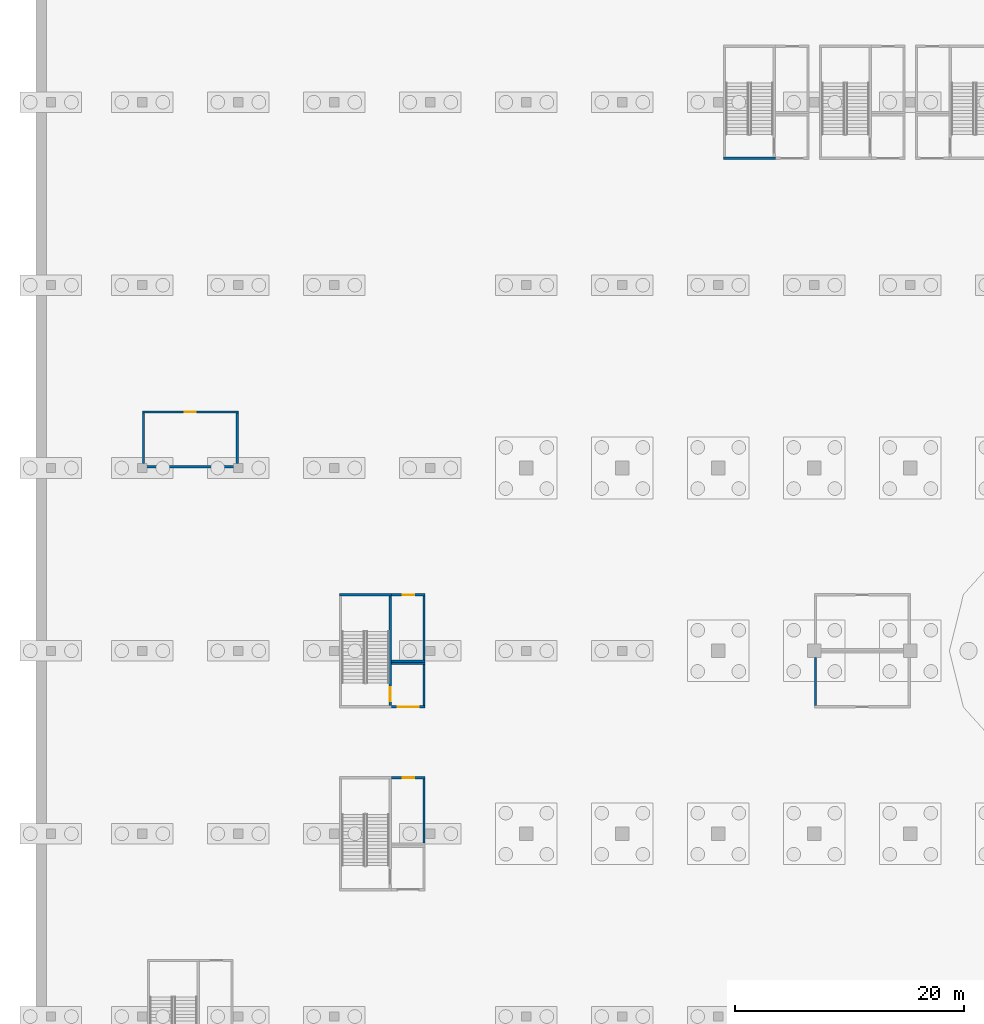
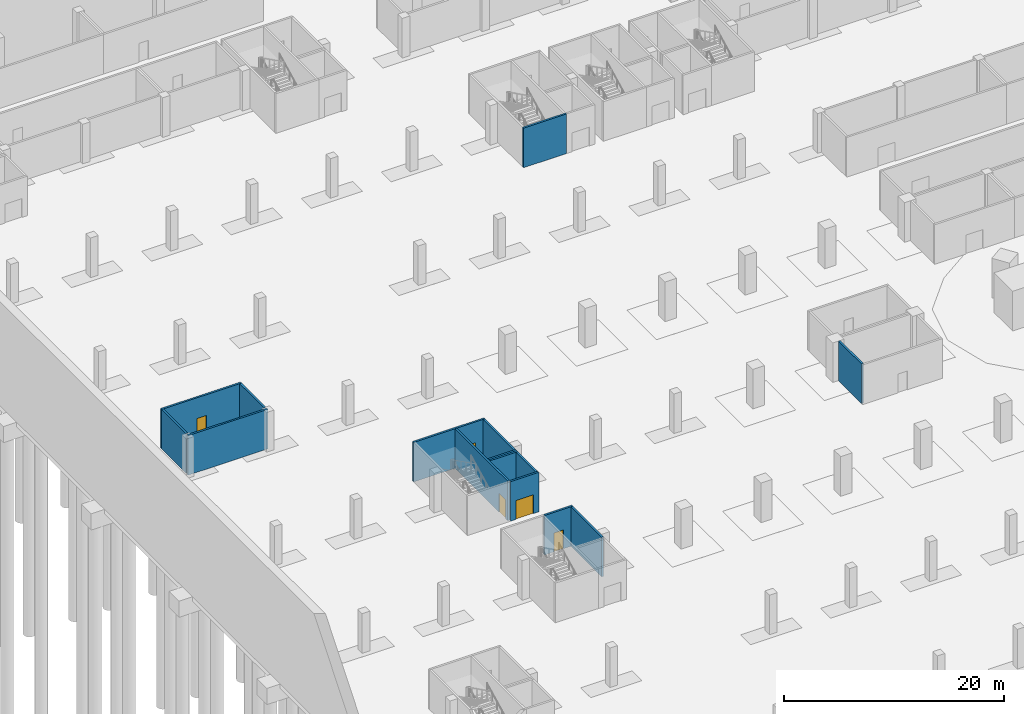
# One storey, part 12 of 46: 16 walls, 5 doors, 5 openings.
"""IFC4 building model written with IfcOpenShell, lengths in metres."""

from ifc_helpers import new_model, si_unit, direction, frame, frame_2d, origin, place, context, subcontext, project, spatial, rectangle, extrude, material, layer, layer_set, type_object, element, fill, save


model = new_model("IFC4")

# Units and contexts
model_context = context("Model", 3, precision=1e-05, world=origin(), true_north=direction((0.0, 1.0)))
body_context = subcontext(model_context, "Body", "Model", "MODEL_VIEW")
ifc_project = project(units=[si_unit("LENGTHUNIT", "METRE"), si_unit("AREAUNIT", "SQUARE_METRE"), si_unit("VOLUMEUNIT", "CUBIC_METRE"), si_unit("PLANEANGLEUNIT", "RADIAN"), si_unit("MASSUNIT", "GRAM", prefix="KILO")], contexts=[model_context])

# Site, building, storey
site_placement = place(None, origin())
site = spatial("IfcSite", under=ifc_project, at=site_placement, CompositionType="ELEMENT")
building_placement = place(site_placement, origin())
building = spatial("IfcBuilding", under=site, at=building_placement, Name="Tamra Quay Hotel Tower", CompositionType="ELEMENT")
storey_placement = place(building_placement, frame((0.0, 0.0, -12.0)))
storey = spatial("IfcBuildingStorey", under=building, at=storey_placement, Name="B3", CompositionType="ELEMENT", Elevation=-12.0)

# Walls
ifc_material_1 = material(Name="Blockwork", Category="masonry")
ifc_layer_1 = layer(ifc_material_1, 0.199951171875)
ifc_layer_set_1 = layer_set([ifc_layer_1], Name="Car park room wall 200")
wall_type_1 = type_object("IfcWallType", Name="Car park room wall 200", PredefinedType="PARTITIONING", material=ifc_layer_set_1)
wall_1_placement = place(storey_placement, frame((-55.39990234375, -4.800048828125, 0.0), z_axis=(0.0, 0.0, 1.0), x_axis=(0.0, 1.0, 0.0)))
element("IfcWall", 1, at=wall_1_placement, inside=storey, type_object=wall_type_1, Name="PW", PredefinedType="PARTITIONING", context=body_context, shape_type="SweptSolid", body=[
    extrude(rectangle(XDim=4.199951171875, YDim=0.199951171875, at=frame_2d((2.10009765625, 0.0))), origin(), (0.0, 0.0, 1.0), 4.39990234375),
])
wall_2_placement = place(storey_placement, frame((-114.300048828125, 16.10009765625, 0.0), z_axis=(0.0, 0.0, 1.0), x_axis=(1.0, 0.0, 0.0)))
element("IfcWall", 2, at=wall_2_placement, inside=storey, type_object=wall_type_1, Name="PW", PredefinedType="PARTITIONING", context=body_context, shape_type="SweptSolid", body=[
    extrude(rectangle(XDim=8.400146484375, YDim=0.199951171875, at=frame_2d((4.2001953125, 0.0))), origin(), (0.0, 0.0, 1.0), 4.39990234375),
])

# Wall, opening, door
wall_3_placement = place(storey_placement, frame((-114.300048828125, 20.89990234375, 0.0), z_axis=(0.0, 0.0, 1.0), x_axis=(1.0, 0.0, 0.0)))
wall_3 = element("IfcWall", 3, at=wall_3_placement, inside=storey, type_object=wall_type_1, Name="PW", PredefinedType="PARTITIONING", context=body_context, shape_type="SweptSolid", body=[
    extrude(rectangle(XDim=8.400146484375, YDim=0.199951171875, at=frame_2d((4.2001953125, 0.0))), origin(), (0.0, 0.0, 1.0), 4.39990234375),
])
opening_1_placement = place(wall_3_placement, frame((3.699951171875, 0.0, 0.0)))
opening_1 = element("IfcOpeningElement", 4, at=opening_1_placement, cuts=wall_3, Name="Opening PD1", PredefinedType="OPENING", context=body_context, shape_type="SweptSolid", body=[
    extrude(rectangle(XDim=1.0, YDim=2.10009765625, at=frame_2d((0.5, 1.050048828125))), frame((0.0, 0.10986328125, 0.0), z_axis=(0.0, -1.0, 0.0), x_axis=(1.0, 0.0, 0.0)), (0.0, 0.0, 1.0), 0.219970703125),
])
ifc_material_2 = material(Name="Car park door 1000 x 2100")
door_type_1 = type_object("IfcDoorType", Name="Car park door 1000 x 2100", OperationType="NOTDEFINED", PredefinedType="DOOR", material=ifc_material_2)
door_1_placement = place(opening_1_placement, origin())
door_1 = element("IfcDoor", 5, at=door_1_placement, inside=storey, type_object=door_type_1, Name="PD1", OperationType="SINGLE_SWING_LEFT", OverallHeight=2.10009765625, OverallWidth=1.0, PredefinedType="DOOR", context=body_context, shape_type="SweptSolid", body=[
    extrude(rectangle(XDim=1.0, YDim=2.10009765625, at=frame_2d((0.5, 1.050048828125))), frame((0.0, 0.02490234375, 0.0), z_axis=(0.0, -1.0, 0.0), x_axis=(1.0, 0.0, 0.0)), (0.0, 0.0, 1.0), 0.050048828125),
])
fill(opening_1, door_1)

# Walls
for number, where, z_axis, x_axis, name in (
    (6, (-114.199951171875, 16.39990234375, 0.0), (0.0, 0.0, 1.0), (0.0, 1.0, 0.0), "PW"),
    (7, (-106.0, 16.39990234375, 0.0), (0.0, 0.0, 1.0), (0.0, 1.0, 0.0), "PW"),
):
    element("IfcWall", number, at=place(storey_placement, frame(where, z_axis=z_axis, x_axis=x_axis)), inside=storey, type_object=wall_type_1, Name=name, PredefinedType="PARTITIONING", context=body_context, shape_type="SweptSolid", body=[
        extrude(rectangle(XDim=4.400146484375, YDim=0.199951171875, at=frame_2d((2.2001953125, 0.0))), origin(), (0.0, 0.0, 1.0), 4.39990234375),
    ])

# Wall, opening, door
wall_4_placement = place(storey_placement, frame((-92.5, -11.10009765625, 0.0), z_axis=(0.0, 0.0, 1.0), x_axis=(1.0, 0.0, 0.0)))
wall_4 = element("IfcWall", 8, at=wall_4_placement, inside=storey, type_object=wall_type_1, Name="PW", PredefinedType="PARTITIONING", context=body_context, shape_type="SweptSolid", body=[
    extrude(rectangle(XDim=2.949951171875, YDim=0.199951171875, at=frame_2d((1.47509765625, 0.0))), origin(), (0.0, 0.0, 1.0), 4.39990234375),
])
opening_2_placement = place(wall_4_placement, frame((0.97509765625, 0.0, 0.0)))
opening_2 = element("IfcOpeningElement", 9, at=opening_2_placement, cuts=wall_4, Name="Opening PD1", PredefinedType="OPENING", context=body_context, shape_type="SweptSolid", body=[
    extrude(rectangle(XDim=1.0, YDim=2.10009765625, at=frame_2d((0.5, 1.050048828125))), frame((0.0, 0.10986328125, 0.0), z_axis=(0.0, -1.0, 0.0), x_axis=(1.0, 0.0, 0.0)), (0.0, 0.0, 1.0), 0.219970703125),
])
door_2_placement = place(opening_2_placement, origin())
door_2 = element("IfcDoor", 10, at=door_2_placement, inside=storey, type_object=door_type_1, Name="PD1", OperationType="SINGLE_SWING_LEFT", OverallHeight=2.10009765625, OverallWidth=1.0, PredefinedType="DOOR", context=body_context, shape_type="SweptSolid", body=[
    extrude(rectangle(XDim=1.0, YDim=2.10009765625, at=frame_2d((0.5, 1.050048828125))), frame((0.0, 0.02490234375, 0.0), z_axis=(0.0, -1.0, 0.0), x_axis=(1.0, 0.0, 0.0)), (0.0, 0.0, 1.0), 0.050048828125),
])
fill(opening_2, door_2)

# Wall
wall_5_placement = place(storey_placement, frame((-89.64990234375, -16.800048828125, 0.0), z_axis=(0.0, 0.0, 1.0), x_axis=(0.0, 1.0, 0.0)))
element("IfcWall", 11, at=wall_5_placement, inside=storey, type_object=wall_type_1, Name="PW", PredefinedType="PARTITIONING", context=body_context, shape_type="SweptSolid", body=[
    extrude(rectangle(XDim=5.60009765625, YDim=0.199951171875, at=frame_2d((2.800048828125, 0.0))), origin(), (0.0, 0.0, 1.0), 4.39990234375),
])

# Wall, opening, door
wall_6_placement = place(storey_placement, frame((-92.5, -4.89990234375, 0.0), z_axis=(0.0, 0.0, 1.0), x_axis=(1.0, 0.0, 0.0)))
wall_6 = element("IfcWall", 12, at=wall_6_placement, inside=storey, type_object=wall_type_1, Name="PW", PredefinedType="PARTITIONING", context=body_context, shape_type="SweptSolid", body=[
    extrude(rectangle(XDim=2.949951171875, YDim=0.199951171875, at=frame_2d((1.47509765625, 0.0))), origin(), (0.0, 0.0, 1.0), 4.39990234375),
])
opening_3_placement = place(wall_6_placement, frame((0.574951171875, 0.0, 0.0)))
opening_3 = element("IfcOpeningElement", 13, at=opening_3_placement, cuts=wall_6, Name="Opening PD2", PredefinedType="OPENING", context=body_context, shape_type="SweptSolid", body=[
    extrude(rectangle(XDim=1.800048828125, YDim=2.10009765625, at=frame_2d((0.89990234375, 1.050048828125))), frame((0.0, 0.10986328125, 0.0), z_axis=(0.0, -1.0, 0.0), x_axis=(1.0, 0.0, 0.0)), (0.0, 0.0, 1.0), 0.219970703125),
])
ifc_material_3 = material(Name="Plant door 1800 x 2100")
door_type_2 = type_object("IfcDoorType", Name="Plant door 1800 x 2100", OperationType="DOUBLE_DOOR_SINGLE_SWING", PredefinedType="DOOR", material=ifc_material_3)
door_3_placement = place(opening_3_placement, origin())
door_3 = element("IfcDoor", 14, at=door_3_placement, inside=storey, type_object=door_type_2, Name="PD2", OperationType="DOUBLE_DOOR_SINGLE_SWING", OverallHeight=2.10009765625, OverallWidth=1.800048828125, PredefinedType="DOOR", context=body_context, shape_type="SweptSolid", body=[
    extrude(rectangle(XDim=1.800048828125, YDim=2.10009765625, at=frame_2d((0.89990234375, 1.050048828125))), frame((0.0, 0.02490234375, 0.0), z_axis=(0.0, -1.0, 0.0), x_axis=(1.0, 0.0, 0.0)), (0.0, 0.0, 1.0), 0.050048828125),
])
fill(opening_3, door_3)

# Walls
wall_7_placement = place(storey_placement, frame((-92.5, -1.10009765625, 0.0), z_axis=(0.0, 0.0, 1.0), x_axis=(1.0, 0.0, 0.0)))
element("IfcWall", 15, at=wall_7_placement, inside=storey, type_object=wall_type_1, Name="PW", PredefinedType="PARTITIONING", context=body_context, shape_type="SweptSolid", body=[
    extrude(rectangle(XDim=2.949951171875, YDim=0.199951171875, at=frame_2d((1.47509765625, 0.0))), origin(), (0.0, 0.0, 1.0), 4.39990234375),
])
wall_8_placement = place(storey_placement, frame((-89.64990234375, -4.800048828125, 0.0), z_axis=(0.0, 0.0, 1.0), x_axis=(0.0, 1.0, 0.0)))
element("IfcWall", 16, at=wall_8_placement, inside=storey, type_object=wall_type_1, Name="PW", PredefinedType="PARTITIONING", context=body_context, shape_type="SweptSolid", body=[
    extrude(rectangle(XDim=3.60009765625, YDim=0.199951171875, at=frame_2d((1.800048828125, 0.0))), origin(), (0.0, 0.0, 1.0), 4.39990234375),
])
wall_9_placement = place(storey_placement, frame((-92.5, -0.89990234375, 0.0), z_axis=(0.0, 0.0, 1.0), x_axis=(1.0, 0.0, 0.0)))
element("IfcWall", 17, at=wall_9_placement, inside=storey, type_object=wall_type_1, Name="PW", PredefinedType="PARTITIONING", context=body_context, shape_type="SweptSolid", body=[
    extrude(rectangle(XDim=2.949951171875, YDim=0.199951171875, at=frame_2d((1.47509765625, 0.0))), origin(), (0.0, 0.0, 1.0), 4.39990234375),
])

# Wall, opening, door
wall_10_placement = place(storey_placement, frame((-92.5, 4.89990234375, 0.0), z_axis=(0.0, 0.0, 1.0), x_axis=(1.0, 0.0, 0.0)))
wall_10 = element("IfcWall", 18, at=wall_10_placement, inside=storey, type_object=wall_type_1, Name="PW", PredefinedType="PARTITIONING", context=body_context, shape_type="SweptSolid", body=[
    extrude(rectangle(XDim=2.949951171875, YDim=0.199951171875, at=frame_2d((1.47509765625, 0.0))), origin(), (0.0, 0.0, 1.0), 4.39990234375),
])
opening_4_placement = place(wall_10_placement, frame((0.97509765625, 0.0, 0.0)))
opening_4 = element("IfcOpeningElement", 19, at=opening_4_placement, cuts=wall_10, Name="Opening PD1", PredefinedType="OPENING", context=body_context, shape_type="SweptSolid", body=[
    extrude(rectangle(XDim=1.0, YDim=2.10009765625, at=frame_2d((0.5, 1.050048828125))), frame((0.0, 0.10986328125, 0.0), z_axis=(0.0, -1.0, 0.0), x_axis=(1.0, 0.0, 0.0)), (0.0, 0.0, 1.0), 0.219970703125),
])
door_4_placement = place(opening_4_placement, origin())
door_4 = element("IfcDoor", 20, at=door_4_placement, inside=storey, type_object=door_type_1, Name="PD1", OperationType="SINGLE_SWING_LEFT", OverallHeight=2.10009765625, OverallWidth=1.0, PredefinedType="DOOR", context=body_context, shape_type="SweptSolid", body=[
    extrude(rectangle(XDim=1.0, YDim=2.10009765625, at=frame_2d((0.5, 1.050048828125))), frame((0.0, 0.02490234375, 0.0), z_axis=(0.0, -1.0, 0.0), x_axis=(1.0, 0.0, 0.0)), (0.0, 0.0, 1.0), 0.050048828125),
])
fill(opening_4, door_4)

# Wall
wall_11_placement = place(storey_placement, frame((-89.64990234375, -0.800048828125, 0.0), z_axis=(0.0, 0.0, 1.0), x_axis=(0.0, 1.0, 0.0)))
element("IfcWall", 21, at=wall_11_placement, inside=storey, type_object=wall_type_1, Name="PW", PredefinedType="PARTITIONING", context=body_context, shape_type="SweptSolid", body=[
    extrude(rectangle(XDim=5.60009765625, YDim=0.199951171875, at=frame_2d((2.800048828125, 0.0))), origin(), (0.0, 0.0, 1.0), 4.39990234375),
])

# Wall, opening, door
ifc_material_4 = material(Name="Concrete M70", Category="concrete")
ifc_layer_2 = layer(ifc_material_4, 0.199951171875)
ifc_layer_set_2 = layer_set([ifc_layer_2], Name="Concrete M70 stair enclosure wall 200")
wall_type_2 = type_object("IfcWallType", Name="Concrete M70 stair enclosure wall 200", PredefinedType="SOLIDWALL", material=ifc_layer_set_2)
wall_12_placement = place(storey_placement, frame((-92.60009765625, -4.800048828125, 0.0), z_axis=(0.0, 0.0, 1.0), x_axis=(0.0, 1.0, 0.0)))
wall_12 = element("IfcWall", 22, at=wall_12_placement, inside=storey, type_object=wall_type_2, Name="SEW", PredefinedType="SOLIDWALL", context=body_context, shape_type="SweptSolid", body=[
    extrude(rectangle(XDim=9.60009765625, YDim=0.199951171875, at=frame_2d((4.800048828125, 0.0))), origin(), (0.0, 0.0, 1.0), 4.39990234375),
])
opening_5_placement = place(wall_12_placement, frame((0.39990234375, 0.0, 0.0)))
opening_5 = element("IfcOpeningElement", 23, at=opening_5_placement, cuts=wall_12, Name="Opening SD1", PredefinedType="OPENING", context=body_context, shape_type="SweptSolid", body=[
    extrude(rectangle(XDim=1.199951171875, YDim=2.10009765625, at=frame_2d((0.60009765625, 1.050048828125))), frame((0.0, 0.10986328125, 0.0), z_axis=(0.0, -1.0, 0.0), x_axis=(1.0, 0.0, 0.0)), (0.0, 0.0, 1.0), 0.219970703125),
])
ifc_material_5 = material(Name="Stair door 1200 x 2100")
door_type_3 = type_object("IfcDoorType", Name="Stair door 1200 x 2100", OperationType="NOTDEFINED", PredefinedType="DOOR", material=ifc_material_5)
door_5_placement = place(opening_5_placement, origin())
door_5 = element("IfcDoor", 24, at=door_5_placement, inside=storey, type_object=door_type_3, Name="SD1", OperationType="SINGLE_SWING_LEFT", OverallHeight=2.10009765625, OverallWidth=1.199951171875, PredefinedType="DOOR", context=body_context, shape_type="SweptSolid", body=[
    extrude(rectangle(XDim=1.199951171875, YDim=2.10009765625, at=frame_2d((0.60009765625, 1.050048828125))), frame((0.0, 0.02490234375, 0.0), z_axis=(0.0, -1.0, 0.0), x_axis=(1.0, 0.0, 0.0)), (0.0, 0.0, 1.0), 0.050048828125),
])
fill(opening_5, door_5)

# Walls
for number, where, z_axis, x_axis, name in (
    (25, (-97.050048828125, 4.89990234375, 0.0), (0.0, 0.0, 1.0), (1.0, 0.0, 0.0), "SEW"),
    (26, (-58.89990234375, 43.10009765625, 0.0), (0.0, 0.0, 1.0), (-1.0, 0.0, 0.0), "SEW"),
):
    element("IfcWall", number, at=place(storey_placement, frame(where, z_axis=z_axis, x_axis=x_axis)), inside=storey, type_object=wall_type_2, Name=name, PredefinedType="SOLIDWALL", context=body_context, shape_type="SweptSolid", body=[
        extrude(rectangle(XDim=4.550048828125, YDim=0.199951171875, at=frame_2d((2.27490234375, 0.0))), origin(), (0.0, 0.0, 1.0), 4.39990234375),
    ])

save(model, "model.ifc")
